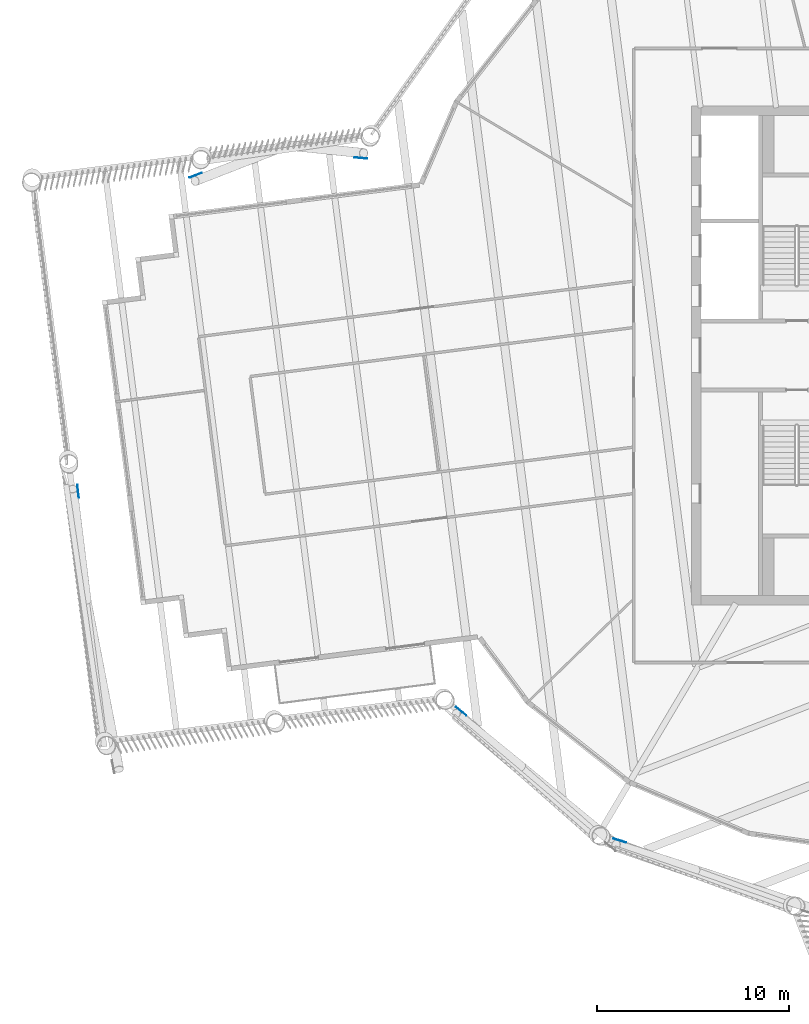
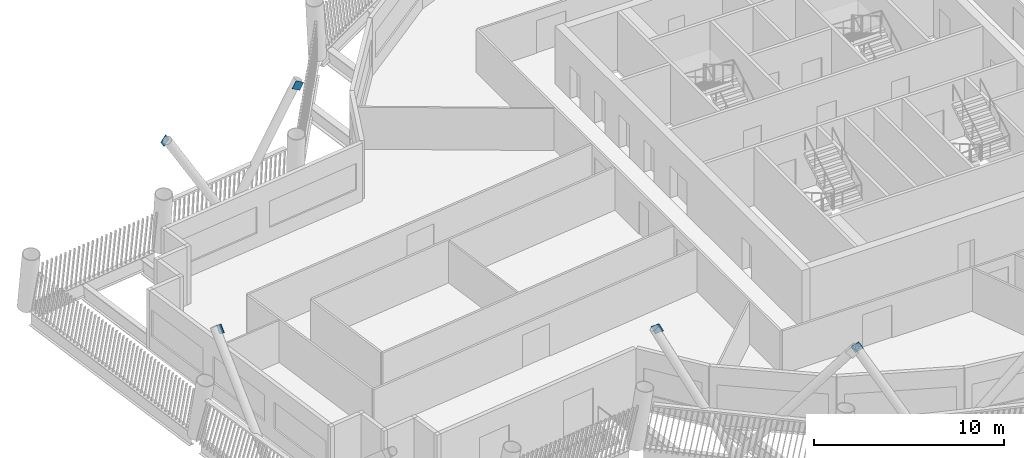
# One storey, part 10 of 20: 5 discrete accessories.
"""IFC4 building model written with IfcOpenShell, lengths in metres."""

import ifcopenshell
import ifcopenshell.guid

model = None  # the IFC model being written
_history = None  # IfcOwnerHistory: only IFC2X3 demands one
_inside = {}  # id of a spatial element -> (the spatial element, [elements in it])
_under = {}  # id of a project, library or spatial element -> (it, [spatial elements below it])
_declared = {}  # id of a project -> (the project, [libraries it declares])
_typed = {}  # id of a type object -> (the type object, [elements of that type])
_made_of = {}  # id of a material, layer set ... -> (it, [elements and type objects made of it])


def new_model(schema):
    """Start an empty IFC model of exactly this schema.

    Asked for "IFC4X3", IfcOpenShell would pick the latest addendum, in which some entities
    have other attributes; the version numbers below select the first issue.
    IFC2X3 requires an IfcOwnerHistory on every rooted entity: one is made here for all.
    """
    global model, _history
    if schema == "IFC4X3":
        model = ifcopenshell.file(schema_version=(4, 3, 0, 0))
    else:
        model = ifcopenshell.file(schema=schema)
    _inside.clear()
    _under.clear()
    _declared.clear()
    _typed.clear()
    _made_of.clear()
    _history = None
    if model.schema == "IFC2X3":
        org = make("IfcOrganization", Name="unknown")
        user = make(
            "IfcPersonAndOrganization",
            ThePerson=make("IfcPerson", FamilyName="unknown"),
            TheOrganization=org,
        )
        app = make(
            "IfcApplication",
            ApplicationDeveloper=org,
            Version="unknown",
            ApplicationFullName="unknown",
            ApplicationIdentifier="unknown",
        )
        _history = make(
            "IfcOwnerHistory",
            OwningUser=user,
            OwningApplication=app,
            ChangeAction="ADDED",
            CreationDate=0,
        )
    return model


def make(cls, **values):
    """One entity of the class cls with the attributes given. An attribute that is None is left unset."""
    return model.create_entity(
        cls, **{name: value for name, value in values.items() if value is not None}
    )


def rooted(cls, **values):
    """An entity with a GlobalId (a new one), such as an element, a storey or a relation."""
    return make(cls, GlobalId=ifcopenshell.guid.new(), OwnerHistory=_history, **values)


def si_unit(unit_type, name, prefix=None):
    """IfcSIUnit, for example si_unit("LENGTHUNIT", "METRE", prefix="MILLI")."""
    return make("IfcSIUnit", UnitType=unit_type, Prefix=prefix, Name=name)


def assignment(units):
    """IfcUnitAssignment: the units of a project."""
    return None if units is None else make("IfcUnitAssignment", Units=units)


def point(xyz):
    """IfcCartesianPoint."""
    return None if xyz is None else make("IfcCartesianPoint", Coordinates=xyz)


def direction(xyz):
    """IfcDirection."""
    return None if xyz is None else make("IfcDirection", DirectionRatios=xyz)


def frame(location, z_axis=None, x_axis=None):
    """IfcAxis2Placement3D, a coordinate frame: its origin and axes. An axis left out is left unset."""
    return make(
        "IfcAxis2Placement3D",
        Location=point(location),
        Axis=direction(z_axis),
        RefDirection=direction(x_axis),
    )


def frame_2d(location, x_axis=None):
    """IfcAxis2Placement2D, a coordinate frame in the plane: its origin and x axis."""
    return make(
        "IfcAxis2Placement2D", Location=point(location), RefDirection=direction(x_axis)
    )


def origin():
    """The frame at (0, 0, 0) with its axes left unset."""
    return frame((0.0, 0.0, 0.0))


def origin_2d():
    """The frame at (0, 0) in the plane with its x axis left unset."""
    return frame_2d((0.0, 0.0))


def place(relative_to, where):
    """IfcLocalPlacement: puts the frame where relative to a parent placement (None: the world)."""
    return make(
        "IfcLocalPlacement", PlacementRelTo=relative_to, RelativePlacement=where
    )


def context(
    kind, dimensions, precision=None, world=None, true_north=None, identifier=None
):
    """IfcGeometricRepresentationContext, for example the 3D "Model" context."""
    return make(
        "IfcGeometricRepresentationContext",
        ContextIdentifier=identifier,
        ContextType=kind,
        CoordinateSpaceDimension=dimensions,
        Precision=precision,
        WorldCoordinateSystem=world,
        TrueNorth=true_north,
    )


def subcontext(parent, identifier, kind, view, scale=None):
    """IfcGeometricRepresentationSubContext, for example "Body" below "Model"."""
    return make(
        "IfcGeometricRepresentationSubContext",
        ContextIdentifier=identifier,
        ContextType=kind,
        ParentContext=parent,
        TargetScale=scale,
        TargetView=view,
    )


def project(units=None, contexts=None):
    """IfcProject with its units and contexts."""
    return rooted(
        "IfcProject",
        Name="project",
        RepresentationContexts=contexts,
        UnitsInContext=assignment(units),
    )


def spatial(cls, under=None, at=None, **own):
    """A site, building, storey or space (cls), placed at a placement, below another one or the project."""
    s = rooted(cls, ObjectPlacement=at, **own)
    if under is not None:
        _under.setdefault(under.id(), (under, []))[1].append(s)
    return s


def profile(cls, at=None, kind="AREA", **sizes):
    """A parametric profile (cls). Its sizes go by their IFC names, for example OverallWidth=200.0."""
    return make(cls, ProfileType=kind, Position=at, **sizes)


def rectangle(**sizes):
    """IfcRectangleProfileDef."""
    return profile("IfcRectangleProfileDef", **sizes)


def extrude(swept, where, along, depth):
    """IfcExtrudedAreaSolid: the profile swept, set in the frame where, extruded along a direction by depth."""
    return make(
        "IfcExtrudedAreaSolid",
        SweptArea=swept,
        Position=where,
        ExtrudedDirection=direction(along),
        Depth=depth,
    )


def shape(context_of_items, identifier, shape_type, items):
    """IfcShapeRepresentation: the items that make up one representation, for example the "Body"."""
    return make(
        "IfcShapeRepresentation",
        ContextOfItems=context_of_items,
        RepresentationIdentifier=identifier,
        RepresentationType=shape_type,
        Items=items,
    )


def material(Name=None, Category=None):
    """IfcMaterial."""
    return make("IfcMaterial", Name=Name, Category=Category)


def material_profile(
    of_material, cross_section, Name=None, Category=None, Priority=None
):
    """IfcMaterialProfile: a cross section and its material."""
    return make(
        "IfcMaterialProfile",
        Name=Name,
        Material=of_material,
        Profile=cross_section,
        Priority=Priority,
        Category=Category,
    )


def profile_set(profiles, Name=None, composite=None):
    """IfcMaterialProfileSet."""
    return make(
        "IfcMaterialProfileSet",
        Name=Name,
        MaterialProfiles=profiles,
        CompositeProfile=composite,
    )


def made_of(thing, what):
    """Note that an element or type object is made of a material, layer set ...; save() writes the relation."""
    if what is not None:
        _made_of.setdefault(what.id(), (what, []))[1].append(thing)
    return thing


def type_object(cls, material=None, **own):
    """A type object (cls), such as IfcWallType, which elements share."""
    return made_of(rooted(cls, **own), material)


def element(
    cls,
    number,
    at=None,
    inside=None,
    cuts=None,
    type_object=None,
    material=None,
    context=None,
    identifier="Body",
    shape_type=None,
    held_by="IfcProductDefinitionShape",
    body=None,
    shapes=None,
    **own,
):
    """One element of the class cls, such as IfcWall. Its Tag is "e" and its number.

    at: its placement. inside: the storey or other place that contains it. cuts: it is an
    opening in that element (IfcRelVoidsElement). A single representation is given by context,
    identifier, shape_type and body (its items); several are given by shapes. held_by: the class
    of the entity that holds the representations. save() writes the other relations.
    """
    e = rooted(cls, Tag="e%d" % number, ObjectPlacement=at, **own)
    if body is not None:
        shapes = [shape(context, identifier, shape_type, body)]
    if shapes is not None:
        e.Representation = make(held_by, Representations=shapes)
    if inside is not None:
        _inside.setdefault(inside.id(), (inside, []))[1].append(e)
    if cuts is not None:
        rooted(
            "IfcRelVoidsElement", RelatingBuildingElement=cuts, RelatedOpeningElement=e
        )
    if type_object is not None:
        _typed.setdefault(type_object.id(), (type_object, []))[1].append(e)
    return made_of(e, material)


def aggregate(whole, parts):
    """IfcRelAggregates: a whole, such as a stair, and the parts it consists of."""
    return rooted("IfcRelAggregates", RelatingObject=whole, RelatedObjects=parts)


def save(model, path):
    """Write the relations noted so far, then the file.

    IfcRelAggregates (storeys below a building ...), IfcRelContainedInSpatialStructure (elements
    in a storey), IfcRelDefinesByType, IfcRelAssociatesMaterial and IfcRelDeclares: one each for
    every whole, place, type object, material and project.
    """
    for whole, parts in _under.values():
        aggregate(whole, parts)
    for where, things in _inside.values():
        rooted(
            "IfcRelContainedInSpatialStructure",
            RelatedElements=things,
            RelatingStructure=where,
        )
    for kind, things in _typed.values():
        rooted("IfcRelDefinesByType", RelatedObjects=things, RelatingType=kind)
    for what, things in _made_of.values():
        rooted("IfcRelAssociatesMaterial", RelatedObjects=things, RelatingMaterial=what)
    for by, libraries in _declared.values():
        rooted("IfcRelDeclares", RelatingContext=by, RelatedDefinitions=libraries)
    model.write(path)


model = new_model("IFC4")

# Units and contexts
model_context = context("Model", 3, precision=1e-05, world=origin(), true_north=direction((0.0, 1.0)))
body_context = subcontext(model_context, "Body", "Model", "MODEL_VIEW")
ifc_project = project(units=[si_unit("LENGTHUNIT", "METRE"), si_unit("AREAUNIT", "SQUARE_METRE"), si_unit("VOLUMEUNIT", "CUBIC_METRE"), si_unit("PLANEANGLEUNIT", "RADIAN"), si_unit("MASSUNIT", "GRAM", prefix="KILO")], contexts=[model_context])

# Site, building, storey
site_placement = place(None, origin())
site = spatial("IfcSite", under=ifc_project, at=site_placement, CompositionType="ELEMENT")
building_placement = place(site_placement, origin())
building = spatial("IfcBuilding", under=site, at=building_placement, Name="Tarsis Ring Headquarters", CompositionType="ELEMENT")
storey_placement = place(building_placement, frame((0.0, 0.0, 315.800048828125)))
storey = spatial("IfcBuildingStorey", under=building, at=storey_placement, Name="L74", CompositionType="ELEMENT", Elevation=315.800048828125)

# Discrete accessories
ifc_material = material(Name="Structural steel S355", Category="steel")
ifc_material_profile = material_profile(ifc_material, rectangle(XDim=0.02490234375, YDim=0.5, at=origin_2d()), Name="PL 25x500")
ifc_profile_set = profile_set([ifc_material_profile], Name="Structural steel S355")
discrete_accessory_type = type_object("IfcDiscreteAccessoryType", Name="Gusset plate Exo brace 25", PredefinedType="BRACKET", material=ifc_profile_set)
for number, where, z_axis, x_axis, name in (
    (1, (-13.842041015625, -25.240478515625, 7.800048828125), (0.463804548374, -0.14841745548, -0.873417196886), (0.304775727104, 0.952424147199, 0.0), "Gusset plate GP5"),
    (2, (-35.9501953125, 9.338134765625, 7.800048828125), (0.510702921066, 0.199203433838, -0.836361475895), (-0.36339166086, 0.931636463873, 0.0), "Gusset plate GP5"),
    (3, (-27.096923828125, 10.272705078125, 7.800048828125), (-0.457043835947, 0.046876290866, -0.888208052979), (-0.102028865499, -0.994781438611, 0.0), "Gusset plate GP5"),
    (4, (-41.965576171875, -6.928466796875, 7.800048828125), (0.072752353843, -0.595202143187, -0.800275892275), (0.992612428315, 0.121328344396, 0.0), "Gusset plate GP5"),
    (5, (-22.087646484375, -18.461181640625, 7.800048828125), (0.377887615277, -0.307094715774, -0.873437911797), (0.63066811591, 0.776052657733, 0.0), "Gusset plate GP5"),
):
    element("IfcDiscreteAccessory", number, at=place(storey_placement, frame(where, z_axis=z_axis, x_axis=x_axis)), inside=storey, type_object=discrete_accessory_type, Name=name, PredefinedType="BRACKET", context=body_context, shape_type="SweptSolid", body=[
        extrude(rectangle(XDim=0.02490234375, YDim=0.5, at=origin_2d()), origin(), (0.0, 0.0, 1.0), 0.5),
    ])

save(model, "model.ifc")
